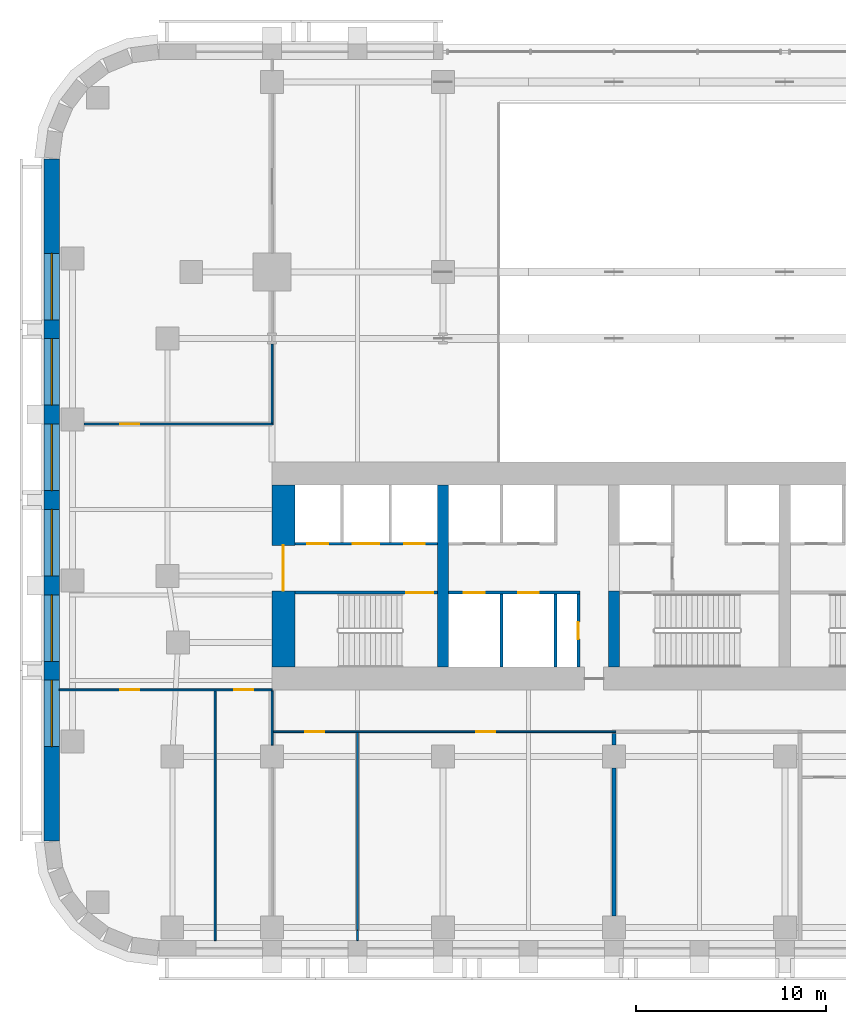
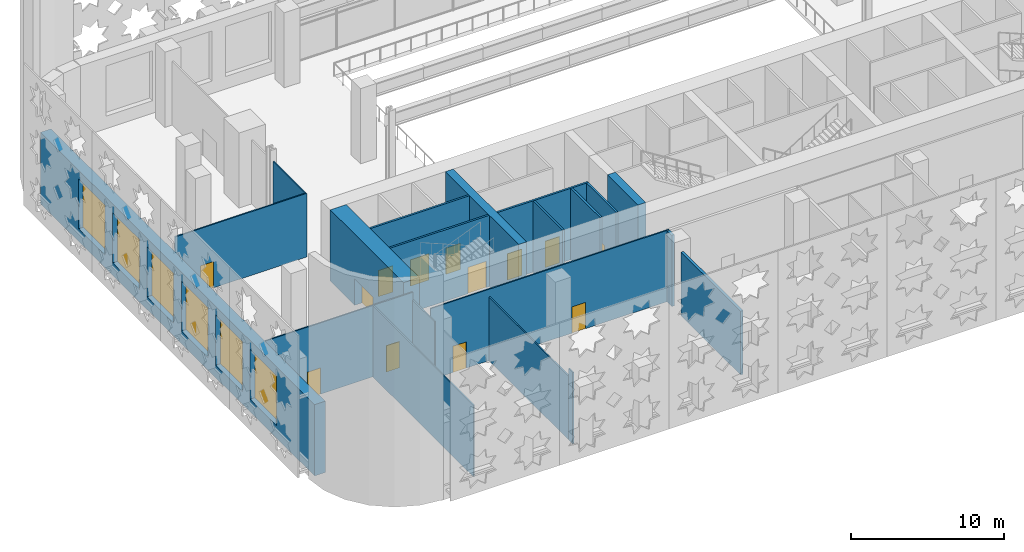
# One storey, part 4 of 17: 20 walls, 13 doors, 6 windows, 19 openings.
"""IFC4 building model written with IfcOpenShell, lengths in metres."""

from ifc_helpers import new_model, si_unit, direction, frame, frame_2d, origin, place, context, subcontext, project, spatial, rectangle, extrude, material, layer, layer_set, type_object, element, fill, save


model = new_model("IFC4")

# Units and contexts
model_context = context("Model", 3, precision=1e-05, world=origin(), true_north=direction((0.0, 1.0)))
body_context = subcontext(model_context, "Body", "Model", "MODEL_VIEW")
ifc_project = project(units=[si_unit("LENGTHUNIT", "METRE"), si_unit("AREAUNIT", "SQUARE_METRE"), si_unit("VOLUMEUNIT", "CUBIC_METRE"), si_unit("PLANEANGLEUNIT", "RADIAN"), si_unit("MASSUNIT", "GRAM", prefix="KILO")], contexts=[model_context])

# Site, building, storey
site_placement = place(None, origin())
site = spatial("IfcSite", under=ifc_project, at=site_placement, CompositionType="ELEMENT")
building_placement = place(site_placement, origin())
building = spatial("IfcBuilding", under=site, at=building_placement, Name="Zellij Exchange Tower", CompositionType="ELEMENT")
storey_placement = place(building_placement, frame((0.0, 0.0, 21.0)))
storey = spatial("IfcBuildingStorey", under=building, at=storey_placement, Name="L03", CompositionType="ELEMENT", Elevation=21.0)

# Walls
ifc_material_1 = material(Name="Concrete C70/85", Category="concrete")
ifc_layer_1 = layer(ifc_material_1, 0.60009765625)
ifc_layer_set_1 = layer_set([ifc_layer_1], Name="Concrete C70/85")
wall_type_1 = type_object("IfcWallType", Name="CORE-CW 600 C70/85", PredefinedType="SHEAR", material=ifc_layer_set_1)
wall_1_placement = place(storey_placement, frame((-18.0, -12.800048828125, 0.0), z_axis=(0.0, 0.0, 1.0), x_axis=(0.0, 1.0, 0.0)))
element("IfcWall", 1, at=wall_1_placement, inside=storey, type_object=wall_type_1, Name="Core cross wall x -18 L03", PredefinedType="SHEAR", context=body_context, shape_type="SweptSolid", body=[
    extrude(rectangle(XDim=9.60009765625, YDim=0.60009765625, at=frame_2d((4.800048828125, 0.0))), origin(), (0.0, 0.0, 1.0), 5.699951171875),
])
wall_2_placement = place(storey_placement, frame((-9.0, -12.800048828125, 0.0), z_axis=(0.0, 0.0, 1.0), x_axis=(0.0, 1.0, 0.0)))
element("IfcWall", 2, at=wall_2_placement, inside=storey, type_object=wall_type_1, Name="Core cross wall pier x -9 a L03", PredefinedType="SHEAR", context=body_context, shape_type="SweptSolid", body=[
    extrude(rectangle(XDim=4.0, YDim=0.60009765625, at=frame_2d((2.0, 0.0))), origin(), (0.0, 0.0, 1.0), 5.699951171875),
])

# Wall, opening, door
ifc_material_2 = material(Name="Gypsum board partition")
ifc_layer_2 = layer(ifc_material_2, 0.14990234375)
ifc_layer_set_2 = layer_set([ifc_layer_2], Name="Gypsum board partition")
wall_type_2 = type_object("IfcWallType", Name="CORE-PW 150 Lift lobby wall", PredefinedType="PARTITIONING", material=ifc_layer_set_2)
wall_3_placement = place(storey_placement, frame((-10.875, -12.800048828125, 0.0), z_axis=(0.0, 0.0, 1.0), x_axis=(0.0, 1.0, 0.0)))
wall_3 = element("IfcWall", 3, at=wall_3_placement, inside=storey, type_object=wall_type_2, Name="Lift lobby wall L03", PredefinedType="PARTITIONING", context=body_context, shape_type="SweptSolid", body=[
    extrude(rectangle(XDim=3.85009765625, YDim=0.14990234375, at=frame_2d((1.925048828125, 0.0))), origin(), (0.0, 0.0, 1.0), 5.699951171875),
])
opening_1_placement = place(wall_3_placement, frame((1.47509765625, 0.0, 0.0)))
opening_1 = element("IfcOpeningElement", 4, at=opening_1_placement, cuts=wall_3, Name="Opening CA-05.10", PredefinedType="OPENING", context=body_context, shape_type="SweptSolid", body=[
    extrude(rectangle(XDim=0.89990234375, YDim=2.10009765625, at=frame_2d((0.449951171875, 1.050048828125))), frame((0.0, 0.0869140625, 0.0), z_axis=(0.0, -1.0, 0.0), x_axis=(1.0, 0.0, 0.0)), (0.0, 0.0, 1.0), 0.173828125),
])
ifc_material_3 = material(Name="Hollow metal fire door")
door_type_1 = type_object("IfcDoorType", Name="CORE-D RD Riser door 900x2100 1.5 HR", OperationType="NOTDEFINED", PredefinedType="DOOR", material=ifc_material_3)
door_1_placement = place(opening_1_placement, origin())
door_1 = element("IfcDoor", 5, at=door_1_placement, inside=storey, type_object=door_type_1, Name="Riser door CA-05.10", OperationType="SINGLE_SWING_RIGHT", OverallHeight=2.10009765625, OverallWidth=0.89990234375, PredefinedType="DOOR", context=body_context, shape_type="SweptSolid", body=[
    extrude(rectangle(XDim=0.89990234375, YDim=2.10009765625, at=frame_2d((0.449951171875, 1.050048828125))), frame((0.0, 0.02490234375, 0.0), z_axis=(0.0, -1.0, 0.0), x_axis=(1.0, 0.0, 0.0)), (0.0, 0.0, 1.0), 0.050048828125),
])
fill(opening_1, door_1)

# Walls
ifc_material_4 = material(Name="Gypsum shaft wall system")
ifc_layer_3 = layer(ifc_material_4, 0.14990234375)
ifc_layer_set_3 = layer_set([ifc_layer_3], Name="Gypsum shaft wall system")
wall_type_3 = type_object("IfcWallType", Name="CORE-PW 150 Lift shaft wall", PredefinedType="PARTITIONING", material=ifc_layer_set_3)
for number, where, z_axis, x_axis, name in (
    (6, (-12.074951171875, -12.800048828125, 0.0), (0.0, 0.0, 1.0), (0.0, 1.0, 0.0), "Lift shaft wall L03"),
    (7, (-14.925048828125, -12.800048828125, 0.0), (0.0, 0.0, 1.0), (0.0, 1.0, 0.0), "Lift shaft wall L03"),
):
    element("IfcWall", number, at=place(storey_placement, frame(where, z_axis=z_axis, x_axis=x_axis)), inside=storey, type_object=wall_type_3, Name=name, PredefinedType="PARTITIONING", context=body_context, shape_type="SweptSolid", body=[
        extrude(rectangle(XDim=3.85009765625, YDim=0.14990234375, at=frame_2d((1.925048828125, 0.0))), origin(), (0.0, 0.0, 1.0), 5.699951171875),
    ])

# Wall, openings, doors
wall_4_placement = place(storey_placement, frame((-25.800048828125, -6.300048828125, 0.0), z_axis=(0.0, 0.0, 1.0), x_axis=(1.0, 0.0, 0.0)))
wall_4 = element("IfcWall", 8, at=wall_4_placement, inside=storey, type_object=wall_type_3, Name="Lift shaft wall L03", PredefinedType="PARTITIONING", context=body_context, shape_type="SweptSolid", body=[
    extrude(rectangle(XDim=7.5, YDim=0.14990234375, at=frame_2d((3.75, 0.0))), origin(), (0.0, 0.0, 1.0), 5.699951171875),
])
opening_2_placement = place(wall_4_placement, frame((0.64990234375, 0.0, 0.0)))
opening_2 = element("IfcOpeningElement", 9, at=opening_2_placement, cuts=wall_4, Name="Opening CA-05.02", PredefinedType="OPENING", context=body_context, shape_type="SweptSolid", body=[
    extrude(rectangle(XDim=1.10009765625, YDim=2.10009765625, at=frame_2d((0.550048828125, 1.050048828125))), frame((0.0, 0.0869140625, 0.0), z_axis=(0.0, -1.0, 0.0), x_axis=(1.0, 0.0, 0.0)), (0.0, 0.0, 1.0), 0.173828125),
])
opening_3_placement = place(wall_4_placement, frame((3.050048828125, 0.0, 0.0)))
opening_3 = element("IfcOpeningElement", 10, at=opening_3_placement, cuts=wall_4, Name="Opening CA-05.03", PredefinedType="OPENING", context=body_context, shape_type="SweptSolid", body=[
    extrude(rectangle(XDim=1.39990234375, YDim=2.10009765625, at=frame_2d((0.699951171875, 1.050048828125))), frame((0.0, 0.0869140625, 0.0), z_axis=(0.0, -1.0, 0.0), x_axis=(1.0, 0.0, 0.0)), (0.0, 0.0, 1.0), 0.173828125),
])
opening_4_placement = place(wall_4_placement, frame((5.75, 0.0, 0.0)))
opening_4 = element("IfcOpeningElement", 11, at=opening_4_placement, cuts=wall_4, Name="Opening CA-05.04", PredefinedType="OPENING", context=body_context, shape_type="SweptSolid", body=[
    extrude(rectangle(XDim=1.10009765625, YDim=2.10009765625, at=frame_2d((0.550048828125, 1.050048828125))), frame((0.0, 0.0869140625, 0.0), z_axis=(0.0, -1.0, 0.0), x_axis=(1.0, 0.0, 0.0)), (0.0, 0.0, 1.0), 0.173828125),
])
door_type_2 = type_object("IfcDoorType", Name="CORE-D LD Lift landing door 1100x2100 1.5 HR", OperationType="NOTDEFINED", PredefinedType="DOOR", material=ifc_material_3)
door_2_placement = place(opening_2_placement, origin())
door_2 = element("IfcDoor", 12, at=door_2_placement, inside=storey, type_object=door_type_2, Name="Lift landing door CA-05.02", OperationType="SLIDING_TO_RIGHT", OverallHeight=2.10009765625, OverallWidth=1.10009765625, PredefinedType="DOOR", context=body_context, shape_type="SweptSolid", body=[
    extrude(rectangle(XDim=1.10009765625, YDim=2.10009765625, at=frame_2d((0.550048828125, 1.050048828125))), frame((0.0, 0.02490234375, 0.0), z_axis=(0.0, -1.0, 0.0), x_axis=(1.0, 0.0, 0.0)), (0.0, 0.0, 1.0), 0.050048828125),
])
fill(opening_2, door_2)
door_3_placement = place(opening_4_placement, origin())
door_3 = element("IfcDoor", 13, at=door_3_placement, inside=storey, type_object=door_type_2, Name="Lift landing door CA-05.04", OperationType="SLIDING_TO_RIGHT", OverallHeight=2.10009765625, OverallWidth=1.10009765625, PredefinedType="DOOR", context=body_context, shape_type="SweptSolid", body=[
    extrude(rectangle(XDim=1.10009765625, YDim=2.10009765625, at=frame_2d((0.550048828125, 1.050048828125))), frame((0.0, 0.02490234375, 0.0), z_axis=(0.0, -1.0, 0.0), x_axis=(1.0, 0.0, 0.0)), (0.0, 0.0, 1.0), 0.050048828125),
])
fill(opening_4, door_3)
door_type_3 = type_object("IfcDoorType", Name="CORE-D LD2 Service lift landing door 1400x2100 1.5 HR", OperationType="NOTDEFINED", PredefinedType="DOOR", material=ifc_material_3)
door_4_placement = place(opening_3_placement, origin())
door_4 = element("IfcDoor", 14, at=door_4_placement, inside=storey, type_object=door_type_3, Name="Service lift landing door CA-05.03", OperationType="SLIDING_TO_LEFT", OverallHeight=2.10009765625, OverallWidth=1.39990234375, PredefinedType="DOOR", context=body_context, shape_type="SweptSolid", body=[
    extrude(rectangle(XDim=1.39990234375, YDim=2.10009765625, at=frame_2d((0.699951171875, 1.050048828125))), frame((0.0, 0.02490234375, 0.0), z_axis=(0.0, -1.0, 0.0), x_axis=(1.0, 0.0, 0.0)), (0.0, 0.0, 1.0), 0.050048828125),
])
fill(opening_3, door_4)

wall_5_placement = place(storey_placement, frame((-17.699951171875, -8.875, 0.0), z_axis=(0.0, 0.0, 1.0), x_axis=(1.0, 0.0, 0.0)))
wall_5 = element("IfcWall", 15, at=wall_5_placement, inside=storey, type_object=wall_type_3, Name="Lift shaft wall L03", PredefinedType="PARTITIONING", context=body_context, shape_type="SweptSolid", body=[
    extrude(rectangle(XDim=6.89990234375, YDim=0.14990234375, at=frame_2d((3.449951171875, 0.0))), origin(), (0.0, 0.0, 1.0), 5.699951171875),
])
opening_5_placement = place(wall_5_placement, frame((0.800048828125, 0.0, 0.0)))
opening_5 = element("IfcOpeningElement", 16, at=opening_5_placement, cuts=wall_5, Name="Opening CA-05.06", PredefinedType="OPENING", context=body_context, shape_type="SweptSolid", body=[
    extrude(rectangle(XDim=1.10009765625, YDim=2.10009765625, at=frame_2d((0.550048828125, 1.050048828125))), frame((0.0, 0.0869140625, 0.0), z_axis=(0.0, -1.0, 0.0), x_axis=(1.0, 0.0, 0.0)), (0.0, 0.0, 1.0), 0.173828125),
])
opening_6_placement = place(wall_5_placement, frame((3.64990234375, 0.0, 0.0)))
opening_6 = element("IfcOpeningElement", 17, at=opening_6_placement, cuts=wall_5, Name="Opening CA-05.08", PredefinedType="OPENING", context=body_context, shape_type="SweptSolid", body=[
    extrude(rectangle(XDim=1.10009765625, YDim=2.10009765625, at=frame_2d((0.550048828125, 1.050048828125))), frame((0.0, 0.0869140625, 0.0), z_axis=(0.0, -1.0, 0.0), x_axis=(1.0, 0.0, 0.0)), (0.0, 0.0, 1.0), 0.173828125),
])
door_5_placement = place(opening_5_placement, origin())
door_5 = element("IfcDoor", 18, at=door_5_placement, inside=storey, type_object=door_type_2, Name="Lift landing door CA-05.06", OperationType="SLIDING_TO_RIGHT", OverallHeight=2.10009765625, OverallWidth=1.10009765625, PredefinedType="DOOR", context=body_context, shape_type="SweptSolid", body=[
    extrude(rectangle(XDim=1.10009765625, YDim=2.10009765625, at=frame_2d((0.550048828125, 1.050048828125))), frame((0.0, 0.02490234375, 0.0), z_axis=(0.0, -1.0, 0.0), x_axis=(1.0, 0.0, 0.0)), (0.0, 0.0, 1.0), 0.050048828125),
])
fill(opening_5, door_5)
door_6_placement = place(opening_6_placement, origin())
door_6 = element("IfcDoor", 19, at=door_6_placement, inside=storey, type_object=door_type_2, Name="Lift landing door CA-05.08", OperationType="SLIDING_TO_RIGHT", OverallHeight=2.10009765625, OverallWidth=1.10009765625, PredefinedType="DOOR", context=body_context, shape_type="SweptSolid", body=[
    extrude(rectangle(XDim=1.10009765625, YDim=2.10009765625, at=frame_2d((0.550048828125, 1.050048828125))), frame((0.0, 0.02490234375, 0.0), z_axis=(0.0, -1.0, 0.0), x_axis=(1.0, 0.0, 0.0)), (0.0, 0.0, 1.0), 0.050048828125),
])
fill(opening_6, door_6)

# Wall, opening, door
ifc_layer_4 = layer(ifc_material_1, 1.199951171875)
ifc_layer_set_4 = layer_set([ifc_layer_4], Name="Concrete C70/85")
wall_type_4 = type_object("IfcWallType", Name="CORE-SW 1200 C70/85", PredefinedType="SHEAR", material=ifc_layer_set_4)
wall_6_placement = place(storey_placement, frame((-26.39990234375, -12.800048828125, 0.0), z_axis=(0.0, 0.0, 1.0), x_axis=(0.0, 1.0, 0.0)))
wall_6 = element("IfcWall", 20, at=wall_6_placement, inside=storey, type_object=wall_type_4, Name="Core shear wall end w L03", PredefinedType="SHEAR", context=body_context, shape_type="SweptSolid", body=[
    extrude(rectangle(XDim=9.60009765625, YDim=1.199951171875, at=frame_2d((4.800048828125, 0.0))), origin(), (0.0, 0.0, 1.0), 5.699951171875),
])
opening_7_placement = place(wall_6_placement, frame((4.011962890625, 0.0, 0.0)))
opening_7 = element("IfcOpeningElement", 21, at=opening_7_placement, cuts=wall_6, Name="Opening CA-05.01", PredefinedType="OPENING", context=body_context, shape_type="SweptSolid", body=[
    extrude(rectangle(XDim=2.39990234375, YDim=2.10009765625, at=frame_2d((1.199951171875, 1.050048828125))), frame((0.0, 0.61181640625, 0.0), z_axis=(0.0, -1.0, 0.0), x_axis=(1.0, 0.0, 0.0)), (0.0, 0.0, 1.0), 1.223876953125),
])
door_type_4 = type_object("IfcDoorType", Name="CORE-D CE Core entrance door 2400x2100 20 MIN", OperationType="NOTDEFINED", PredefinedType="DOOR", material=ifc_material_3)
door_7_placement = place(opening_7_placement, origin())
door_7 = element("IfcDoor", 22, at=door_7_placement, inside=storey, type_object=door_type_4, Name="Core entrance door CA-05.01", OperationType="DOUBLE_DOOR_SINGLE_SWING", OverallHeight=2.10009765625, OverallWidth=2.39990234375, PredefinedType="DOOR", context=body_context, shape_type="SweptSolid", body=[
    extrude(rectangle(XDim=2.39990234375, YDim=2.10009765625, at=frame_2d((1.199951171875, 1.050048828125))), frame((0.0, 0.02490234375, 0.0), z_axis=(0.0, -1.0, 0.0), x_axis=(1.0, 0.0, 0.0)), (0.0, 0.0, 1.0), 0.050048828125),
])
fill(opening_7, door_7)

ifc_layer_5 = layer(ifc_material_1, 0.14990234375)
ifc_layer_set_5 = layer_set([ifc_layer_5], Name="Concrete C70/85")
wall_type_5 = type_object("IfcWallType", Name="CORE-SWS 150 C70/85", PredefinedType="SHEAR", material=ifc_layer_set_5)
wall_7_placement = place(storey_placement, frame((-25.800048828125, -8.875, 0.0), z_axis=(0.0, 0.0, 1.0), x_axis=(1.0, 0.0, 0.0)))
wall_7 = element("IfcWall", 23, at=wall_7_placement, inside=storey, type_object=wall_type_5, Name="Stair enclosure wall L03", PredefinedType="SHEAR", context=body_context, shape_type="SweptSolid", body=[
    extrude(rectangle(XDim=7.5, YDim=0.14990234375, at=frame_2d((3.75, 0.0))), origin(), (0.0, 0.0, 1.0), 5.699951171875),
])
opening_8_placement = place(wall_7_placement, frame((5.875, 0.0, 0.0)))
opening_8 = element("IfcOpeningElement", 24, at=opening_8_placement, cuts=wall_7, Name="Opening CA-05.05", PredefinedType="OPENING", context=body_context, shape_type="SweptSolid", body=[
    extrude(rectangle(XDim=1.39990234375, YDim=2.10009765625, at=frame_2d((0.699951171875, 1.050048828125))), frame((0.0, 0.0869140625, 0.0), z_axis=(0.0, -1.0, 0.0), x_axis=(1.0, 0.0, 0.0)), (0.0, 0.0, 1.0), 0.173828125),
])
door_type_5 = type_object("IfcDoorType", Name="CORE-D SD Stair door 1400x2100 1.5 HR", OperationType="NOTDEFINED", PredefinedType="DOOR", material=ifc_material_3)
door_8_placement = place(opening_8_placement, origin())
door_8 = element("IfcDoor", 25, at=door_8_placement, inside=storey, type_object=door_type_5, Name="Stair door CA-05.05", OperationType="DOUBLE_DOOR_SINGLE_SWING", OverallHeight=2.10009765625, OverallWidth=1.39990234375, PredefinedType="DOOR", context=body_context, shape_type="SweptSolid", body=[
    extrude(rectangle(XDim=1.39990234375, YDim=2.10009765625, at=frame_2d((0.699951171875, 1.050048828125))), frame((0.0, 0.02490234375, 0.0), z_axis=(0.0, -1.0, 0.0), x_axis=(1.0, 0.0, 0.0)), (0.0, 0.0, 1.0), 0.050048828125),
])
fill(opening_8, door_8)

# Wall, openings, windows
ifc_material_5 = material(Name="Precast concrete C40/50", Category="concrete")
ifc_layer_6 = layer(ifc_material_5, 0.800048828125)
ifc_layer_set_6 = layer_set([ifc_layer_6], Name="Precast concrete C40/50")
wall_type_6 = type_object("IfcWallType", Name="ENV-EW1 Precast stone-piered wall 800", PredefinedType="SOLIDWALL", material=ifc_layer_set_6)
wall_8_placement = place(storey_placement, frame((-38.60009765625, 13.947509765625, 0.0), z_axis=(0.0, 0.0, 1.0), x_axis=(0.0, -1.0, 0.0)))
wall_8 = element("IfcWall", 26, at=wall_8_placement, inside=storey, type_object=wall_type_6, Name="fac.L03.21", PredefinedType="SOLIDWALL", context=body_context, shape_type="SweptSolid", body=[
    extrude(rectangle(XDim=35.89501953125, YDim=0.800048828125, at=frame_2d((17.947509765625, 0.0))), origin(), (0.0, 0.0, 1.0), 5.699951171875),
])
opening_9_placement = place(wall_8_placement, frame((4.9638671875, 0.0, 1.0)))
opening_9 = element("IfcOpeningElement", 27, at=opening_9_placement, cuts=wall_8, Name="Opening FP.27", PredefinedType="OPENING", context=body_context, shape_type="SweptSolid", body=[
    extrude(rectangle(XDim=3.5, YDim=4.0, at=frame_2d((1.75, 2.0))), frame((0.0, 0.412109375, 0.0), z_axis=(0.0, -1.0, 0.0), x_axis=(1.0, 0.0, 0.0)), (0.0, 0.0, 1.0), 0.823974609375),
])
opening_10_placement = place(wall_8_placement, frame((9.45751953125, 0.0, 1.0)))
opening_10 = element("IfcOpeningElement", 28, at=opening_10_placement, cuts=wall_8, Name="Opening FP.28", PredefinedType="OPENING", context=body_context, shape_type="SweptSolid", body=[
    extrude(rectangle(XDim=3.5, YDim=4.0, at=frame_2d((1.75, 2.0))), frame((0.0, 0.412109375, 0.0), z_axis=(0.0, -1.0, 0.0), x_axis=(1.0, 0.0, 0.0)), (0.0, 0.0, 1.0), 0.823974609375),
])
opening_11_placement = place(wall_8_placement, frame((13.950927734375, 0.0, 1.0)))
opening_11 = element("IfcOpeningElement", 29, at=opening_11_placement, cuts=wall_8, Name="Opening FP.29", PredefinedType="OPENING", context=body_context, shape_type="SweptSolid", body=[
    extrude(rectangle(XDim=3.5, YDim=4.0, at=frame_2d((1.75, 2.0))), frame((0.0, 0.412109375, 0.0), z_axis=(0.0, -1.0, 0.0), x_axis=(1.0, 0.0, 0.0)), (0.0, 0.0, 1.0), 0.823974609375),
])
opening_12_placement = place(wall_8_placement, frame((18.4443359375, 0.0, 1.0)))
opening_12 = element("IfcOpeningElement", 30, at=opening_12_placement, cuts=wall_8, Name="Opening FP.30", PredefinedType="OPENING", context=body_context, shape_type="SweptSolid", body=[
    extrude(rectangle(XDim=3.5, YDim=4.0, at=frame_2d((1.75, 2.0))), frame((0.0, 0.412109375, 0.0), z_axis=(0.0, -1.0, 0.0), x_axis=(1.0, 0.0, 0.0)), (0.0, 0.0, 1.0), 0.823974609375),
])
opening_13_placement = place(wall_8_placement, frame((22.937744140625, 0.0, 1.0)))
opening_13 = element("IfcOpeningElement", 31, at=opening_13_placement, cuts=wall_8, Name="Opening FP.31", PredefinedType="OPENING", context=body_context, shape_type="SweptSolid", body=[
    extrude(rectangle(XDim=3.5, YDim=4.0, at=frame_2d((1.75, 2.0))), frame((0.0, 0.412109375, 0.0), z_axis=(0.0, -1.0, 0.0), x_axis=(1.0, 0.0, 0.0)), (0.0, 0.0, 1.0), 0.823974609375),
])
opening_14_placement = place(wall_8_placement, frame((27.43115234375, 0.0, 1.0)))
opening_14 = element("IfcOpeningElement", 32, at=opening_14_placement, cuts=wall_8, Name="Opening FP.32", PredefinedType="OPENING", context=body_context, shape_type="SweptSolid", body=[
    extrude(rectangle(XDim=3.5, YDim=4.0, at=frame_2d((1.75, 2.0))), frame((0.0, 0.412109375, 0.0), z_axis=(0.0, -1.0, 0.0), x_axis=(1.0, 0.0, 0.0)), (0.0, 0.0, 1.0), 0.823974609375),
])
ifc_material_6 = material(Name="Aluminium frame with insulating glass", Category="aluminium")
window_type = type_object("IfcWindowType", Name="ENV-W2 Window 3500x4000", PartitioningType="SINGLE_PANEL", PredefinedType="WINDOW", material=ifc_material_6)
window_1_placement = place(opening_9_placement, origin())
window_1 = element("IfcWindow", 33, at=window_1_placement, inside=storey, type_object=window_type, Name="Window FP.27", OverallHeight=4.0, OverallWidth=3.5, PartitioningType="SINGLE_PANEL", PredefinedType="WINDOW", context=body_context, shape_type="SweptSolid", body=[
    extrude(rectangle(XDim=3.5, YDim=4.0, at=frame_2d((1.75, 2.0))), frame((0.0, 0.030029296875, 0.0), z_axis=(0.0, -1.0, 0.0), x_axis=(1.0, 0.0, 0.0)), (0.0, 0.0, 1.0), 0.06005859375),
])
fill(opening_9, window_1)
window_2_placement = place(opening_10_placement, origin())
window_2 = element("IfcWindow", 34, at=window_2_placement, inside=storey, type_object=window_type, Name="Window FP.28", OverallHeight=4.0, OverallWidth=3.5, PartitioningType="SINGLE_PANEL", PredefinedType="WINDOW", context=body_context, shape_type="SweptSolid", body=[
    extrude(rectangle(XDim=3.5, YDim=4.0, at=frame_2d((1.75, 2.0))), frame((0.0, 0.030029296875, 0.0), z_axis=(0.0, -1.0, 0.0), x_axis=(1.0, 0.0, 0.0)), (0.0, 0.0, 1.0), 0.06005859375),
])
fill(opening_10, window_2)
window_3_placement = place(opening_11_placement, origin())
window_3 = element("IfcWindow", 35, at=window_3_placement, inside=storey, type_object=window_type, Name="Window FP.29", OverallHeight=4.0, OverallWidth=3.5, PartitioningType="SINGLE_PANEL", PredefinedType="WINDOW", context=body_context, shape_type="SweptSolid", body=[
    extrude(rectangle(XDim=3.5, YDim=4.0, at=frame_2d((1.75, 2.0))), frame((0.0, 0.030029296875, 0.0), z_axis=(0.0, -1.0, 0.0), x_axis=(1.0, 0.0, 0.0)), (0.0, 0.0, 1.0), 0.06005859375),
])
fill(opening_11, window_3)
window_4_placement = place(opening_12_placement, origin())
window_4 = element("IfcWindow", 36, at=window_4_placement, inside=storey, type_object=window_type, Name="Window FP.30", OverallHeight=4.0, OverallWidth=3.5, PartitioningType="SINGLE_PANEL", PredefinedType="WINDOW", context=body_context, shape_type="SweptSolid", body=[
    extrude(rectangle(XDim=3.5, YDim=4.0, at=frame_2d((1.75, 2.0))), frame((0.0, 0.030029296875, 0.0), z_axis=(0.0, -1.0, 0.0), x_axis=(1.0, 0.0, 0.0)), (0.0, 0.0, 1.0), 0.06005859375),
])
fill(opening_12, window_4)
window_5_placement = place(opening_13_placement, origin())
window_5 = element("IfcWindow", 37, at=window_5_placement, inside=storey, type_object=window_type, Name="Window FP.31", OverallHeight=4.0, OverallWidth=3.5, PartitioningType="SINGLE_PANEL", PredefinedType="WINDOW", context=body_context, shape_type="SweptSolid", body=[
    extrude(rectangle(XDim=3.5, YDim=4.0, at=frame_2d((1.75, 2.0))), frame((0.0, 0.030029296875, 0.0), z_axis=(0.0, -1.0, 0.0), x_axis=(1.0, 0.0, 0.0)), (0.0, 0.0, 1.0), 0.06005859375),
])
fill(opening_13, window_5)
window_6_placement = place(opening_14_placement, origin())
window_6 = element("IfcWindow", 38, at=window_6_placement, inside=storey, type_object=window_type, Name="Window FP.32", OverallHeight=4.0, OverallWidth=3.5, PartitioningType="SINGLE_PANEL", PredefinedType="WINDOW", context=body_context, shape_type="SweptSolid", body=[
    extrude(rectangle(XDim=3.5, YDim=4.0, at=frame_2d((1.75, 2.0))), frame((0.0, 0.030029296875, 0.0), z_axis=(0.0, -1.0, 0.0), x_axis=(1.0, 0.0, 0.0)), (0.0, 0.0, 1.0), 0.06005859375),
])
fill(opening_14, window_6)

# Walls
ifc_material_7 = material(Name="Blockwork partition", Category="masonry")
ifc_layer_7 = layer(ifc_material_7, 0.199951171875)
ifc_layer_set_7 = layer_set([ifc_layer_7], Name="Blockwork partition")
wall_type_7 = type_object("IfcWallType", Name="FIT-BLOCKWORK-200", PredefinedType="PARTITIONING", material=ifc_layer_set_7)
wall_9_placement = place(storey_placement, frame((-9.0, -25.89990234375, 0.0), z_axis=(0.0, 0.0, 1.0), x_axis=(0.0, 1.0, 0.0)))
element("IfcWall", 39, at=wall_9_placement, inside=storey, type_object=wall_type_7, Name="FIT-BLOCKWORK-200 006", PredefinedType="PARTITIONING", context=body_context, shape_type="SweptSolid", body=[
    extrude(rectangle(XDim=7.7998046875, YDim=0.199951171875, at=frame_2d((3.89990234375, 0.0))), origin(), (0.0, 0.0, 1.0), 5.087890625),
])
wall_10_placement = place(storey_placement, frame((-9.0, -16.89990234375, 0.0), z_axis=(0.0, 0.0, 1.0), x_axis=(0.0, 1.0, 0.0)))
element("IfcWall", 40, at=wall_10_placement, inside=storey, type_object=wall_type_7, Name="FIT-BLOCKWORK-200 007", PredefinedType="PARTITIONING", context=body_context, shape_type="SweptSolid", body=[
    extrude(rectangle(XDim=0.599853515625, YDim=0.199951171875, at=frame_2d((0.2998046875, 0.0))), origin(), (0.0, 0.0, 1.0), 5.699951171875),
])
ifc_material_8 = material(Name="Gypsum board partition on steel studs", Category="steel")
ifc_layer_8 = layer(ifc_material_8, 0.10009765625)
ifc_layer_set_8 = layer_set([ifc_layer_8], Name="Gypsum board partition on steel studs")
wall_type_8 = type_object("IfcWallType", Name="FIT-PARTITION-100", PredefinedType="PARTITIONING", material=ifc_layer_set_8)
wall_11_placement = place(storey_placement, frame((-30.0, -27.199951171875, 0.0), z_axis=(0.0, 0.0, 1.0), x_axis=(0.0, 1.0, 0.0)))
element("IfcWall", 41, at=wall_11_placement, inside=storey, type_object=wall_type_8, Name="FIT-PARTITION-100 001", PredefinedType="PARTITIONING", context=body_context, shape_type="SweptSolid", body=[
    extrude(rectangle(XDim=13.14990234375, YDim=0.10009765625, at=frame_2d((6.574951171875, 0.0))), origin(), (0.0, 0.0, 1.0), 5.699951171875),
])
wall_12_placement = place(storey_placement, frame((-27.0, -16.89990234375, 0.0), z_axis=(0.0, 0.0, 1.0), x_axis=(0.0, 1.0, 0.0)))
element("IfcWall", 42, at=wall_12_placement, inside=storey, type_object=wall_type_8, Name="FIT-PARTITION-100 003", PredefinedType="PARTITIONING", context=body_context, shape_type="SweptSolid", body=[
    extrude(rectangle(XDim=2.849853515625, YDim=0.10009765625, at=frame_2d((1.4248046875, 0.0))), origin(), (0.0, 0.0, 1.0), 5.087890625),
])
wall_13_placement = place(storey_placement, frame((-22.5, -27.199951171875, 0.0), z_axis=(0.0, 0.0, 1.0), x_axis=(0.0, 1.0, 0.0)))
element("IfcWall", 43, at=wall_13_placement, inside=storey, type_object=wall_type_8, Name="FIT-PARTITION-100 004", PredefinedType="PARTITIONING", context=body_context, shape_type="SweptSolid", body=[
    extrude(rectangle(XDim=0.537353515625, YDim=0.10009765625, at=frame_2d((0.2685546875, 0.0))), origin(), (0.0, 0.0, 1.0), 5.699951171875),
])
wall_14_placement = place(storey_placement, frame((-22.5, -26.66259765625, 0.0), z_axis=(0.0, 0.0, 1.0), x_axis=(0.0, 1.0, 0.0)))
element("IfcWall", 44, at=wall_14_placement, inside=storey, type_object=wall_type_8, Name="FIT-PARTITION-100 005", PredefinedType="PARTITIONING", context=body_context, shape_type="SweptSolid", body=[
    extrude(rectangle(XDim=10.41259765625, YDim=0.10009765625, at=frame_2d((5.206298828125, 0.0))), origin(), (0.0, 0.0, 1.0), 5.087890625),
])

# Wall, openings, doors
wall_15_placement = place(storey_placement, frame((-26.949951171875, -16.199951171875, 0.0), z_axis=(0.0, 0.0, 1.0), x_axis=(1.0, 0.0, 0.0)))
wall_15 = element("IfcWall", 45, at=wall_15_placement, inside=storey, type_object=wall_type_8, Name="FIT-PARTITION-100 018", PredefinedType="PARTITIONING", context=body_context, shape_type="SweptSolid", body=[
    extrude(rectangle(XDim=18.050048828125, YDim=0.10009765625, at=frame_2d((9.02490234375, 0.0))), origin(), (0.0, 0.0, 1.0), 5.699951171875),
])
opening_15_placement = place(wall_15_placement, frame((1.699951171875, 0.0, 0.0)))
opening_15 = element("IfcOpeningElement", 46, at=opening_15_placement, cuts=wall_15, Name="Opening P3.04", PredefinedType="OPENING", context=body_context, shape_type="SweptSolid", body=[
    extrude(rectangle(XDim=1.0, YDim=2.10009765625, at=frame_2d((0.5, 1.050048828125))), frame((0.0, 0.06201171875, 0.0), z_axis=(0.0, -1.0, 0.0), x_axis=(1.0, 0.0, 0.0)), (0.0, 0.0, 1.0), 0.1240234375),
])
opening_16_placement = place(wall_15_placement, frame((10.699951171875, 0.0, 0.0)))
opening_16 = element("IfcOpeningElement", 47, at=opening_16_placement, cuts=wall_15, Name="Opening P3.05", PredefinedType="OPENING", context=body_context, shape_type="SweptSolid", body=[
    extrude(rectangle(XDim=1.0, YDim=2.10009765625, at=frame_2d((0.5, 1.050048828125))), frame((0.0, 0.06201171875, 0.0), z_axis=(0.0, -1.0, 0.0), x_axis=(1.0, 0.0, 0.0)), (0.0, 0.0, 1.0), 0.1240234375),
])
ifc_material_9 = material(Name="Timber door set", Category="wood")
door_type_6 = type_object("IfcDoorType", Name="FIT-D2-WIDE-1000X2100", OperationType="SINGLE_SWING_LEFT", PredefinedType="DOOR", material=ifc_material_9)
door_9_placement = place(opening_15_placement, origin())
door_9 = element("IfcDoor", 48, at=door_9_placement, inside=storey, type_object=door_type_6, Name="Door P3.04", OperationType="SINGLE_SWING_RIGHT", OverallHeight=2.10009765625, OverallWidth=1.0, PredefinedType="DOOR", context=body_context, shape_type="SweptSolid", body=[
    extrude(rectangle(XDim=1.0, YDim=2.10009765625, at=frame_2d((0.5, 1.050048828125))), frame((0.0, 0.02490234375, 0.0), z_axis=(0.0, -1.0, 0.0), x_axis=(1.0, 0.0, 0.0)), (0.0, 0.0, 1.0), 0.050048828125),
])
fill(opening_15, door_9)
door_10_placement = place(opening_16_placement, origin())
door_10 = element("IfcDoor", 49, at=door_10_placement, inside=storey, type_object=door_type_6, Name="Door P3.05", OperationType="SINGLE_SWING_RIGHT", OverallHeight=2.10009765625, OverallWidth=1.0, PredefinedType="DOOR", context=body_context, shape_type="SweptSolid", body=[
    extrude(rectangle(XDim=1.0, YDim=2.10009765625, at=frame_2d((0.5, 1.050048828125))), frame((0.0, 0.02490234375, 0.0), z_axis=(0.0, -1.0, 0.0), x_axis=(1.0, 0.0, 0.0)), (0.0, 0.0, 1.0), 0.050048828125),
])
fill(opening_16, door_10)

wall_16_placement = place(storey_placement, frame((-38.199951171875, -14.0, 0.0), z_axis=(0.0, 0.0, 1.0), x_axis=(1.0, 0.0, 0.0)))
wall_16 = element("IfcWall", 50, at=wall_16_placement, inside=storey, type_object=wall_type_8, Name="FIT-PARTITION-100 023", PredefinedType="PARTITIONING", context=body_context, shape_type="SweptSolid", body=[
    extrude(rectangle(XDim=11.199951171875, YDim=0.10009765625, at=frame_2d((5.60009765625, 0.0))), origin(), (0.0, 0.0, 1.0), 5.699951171875),
])
opening_17_placement = place(wall_16_placement, frame((3.199951171875, 0.0, 0.0)))
opening_17 = element("IfcOpeningElement", 51, at=opening_17_placement, cuts=wall_16, Name="Opening P3.10", PredefinedType="OPENING", context=body_context, shape_type="SweptSolid", body=[
    extrude(rectangle(XDim=1.0, YDim=2.10009765625, at=frame_2d((0.5, 1.050048828125))), frame((0.0, 0.06201171875, 0.0), z_axis=(0.0, -1.0, 0.0), x_axis=(1.0, 0.0, 0.0)), (0.0, 0.0, 1.0), 0.1240234375),
])
opening_18_placement = place(wall_16_placement, frame((9.199951171875, 0.0, 0.0)))
opening_18 = element("IfcOpeningElement", 52, at=opening_18_placement, cuts=wall_16, Name="Opening P3.11", PredefinedType="OPENING", context=body_context, shape_type="SweptSolid", body=[
    extrude(rectangle(XDim=1.0, YDim=2.10009765625, at=frame_2d((0.5, 1.050048828125))), frame((0.0, 0.06201171875, 0.0), z_axis=(0.0, -1.0, 0.0), x_axis=(1.0, 0.0, 0.0)), (0.0, 0.0, 1.0), 0.1240234375),
])
door_11_placement = place(opening_17_placement, origin())
door_11 = element("IfcDoor", 53, at=door_11_placement, inside=storey, type_object=door_type_6, Name="Door P3.10", OperationType="SINGLE_SWING_RIGHT", OverallHeight=2.10009765625, OverallWidth=1.0, PredefinedType="DOOR", context=body_context, shape_type="SweptSolid", body=[
    extrude(rectangle(XDim=1.0, YDim=2.10009765625, at=frame_2d((0.5, 1.050048828125))), frame((0.0, 0.02490234375, 0.0), z_axis=(0.0, -1.0, 0.0), x_axis=(1.0, 0.0, 0.0)), (0.0, 0.0, 1.0), 0.050048828125),
])
fill(opening_17, door_11)
door_12_placement = place(opening_18_placement, origin())
door_12 = element("IfcDoor", 54, at=door_12_placement, inside=storey, type_object=door_type_6, Name="Door P3.11", OperationType="SINGLE_SWING_RIGHT", OverallHeight=2.10009765625, OverallWidth=1.0, PredefinedType="DOOR", context=body_context, shape_type="SweptSolid", body=[
    extrude(rectangle(XDim=1.0, YDim=2.10009765625, at=frame_2d((0.5, 1.050048828125))), frame((0.0, 0.02490234375, 0.0), z_axis=(0.0, -1.0, 0.0), x_axis=(1.0, 0.0, 0.0)), (0.0, 0.0, 1.0), 0.050048828125),
])
fill(opening_18, door_12)

# Wall, opening, door
wall_17_placement = place(storey_placement, frame((-36.89990234375, 0.0, 0.0), z_axis=(0.0, 0.0, 1.0), x_axis=(1.0, 0.0, 0.0)))
wall_17 = element("IfcWall", 55, at=wall_17_placement, inside=storey, type_object=wall_type_8, Name="FIT-PARTITION-100 025", PredefinedType="PARTITIONING", context=body_context, shape_type="SweptSolid", body=[
    extrude(rectangle(XDim=9.949951171875, YDim=0.10009765625, at=frame_2d((4.97509765625, 0.0))), origin(), (0.0, 0.0, 1.0), 5.087890625),
])
opening_19_placement = place(wall_17_placement, frame((1.89990234375, 0.0, 0.0)))
opening_19 = element("IfcOpeningElement", 56, at=opening_19_placement, cuts=wall_17, Name="Opening P3.14", PredefinedType="OPENING", context=body_context, shape_type="SweptSolid", body=[
    extrude(rectangle(XDim=1.0, YDim=2.10009765625, at=frame_2d((0.5, 1.050048828125))), frame((0.0, 0.06201171875, 0.0), z_axis=(0.0, -1.0, 0.0), x_axis=(1.0, 0.0, 0.0)), (0.0, 0.0, 1.0), 0.1240234375),
])
door_13_placement = place(opening_19_placement, origin())
door_13 = element("IfcDoor", 57, at=door_13_placement, inside=storey, type_object=door_type_6, Name="Door P3.14", OperationType="SINGLE_SWING_LEFT", OverallHeight=2.10009765625, OverallWidth=1.0, PredefinedType="DOOR", context=body_context, shape_type="SweptSolid", body=[
    extrude(rectangle(XDim=1.0, YDim=2.10009765625, at=frame_2d((0.5, 1.050048828125))), frame((0.0, 0.02490234375, 0.0), z_axis=(0.0, -1.0, 0.0), x_axis=(1.0, 0.0, 0.0)), (0.0, 0.0, 1.0), 0.050048828125),
])
fill(opening_19, door_13)

# Wall
wall_18_placement = place(storey_placement, frame((-27.0, 0.050048828125, 0.0), z_axis=(0.0, 0.0, 1.0), x_axis=(0.0, 1.0, 0.0)))
element("IfcWall", 58, at=wall_18_placement, inside=storey, type_object=wall_type_8, Name="FIT-PARTITION-100 026", PredefinedType="PARTITIONING", context=body_context, shape_type="SweptSolid", body=[
    extrude(rectangle(XDim=4.16552734375, YDim=0.10009765625, at=frame_2d((2.082763671875, 0.0))), origin(), (0.0, 0.0, 1.0), 5.087890625),
])

save(model, "model.ifc")
